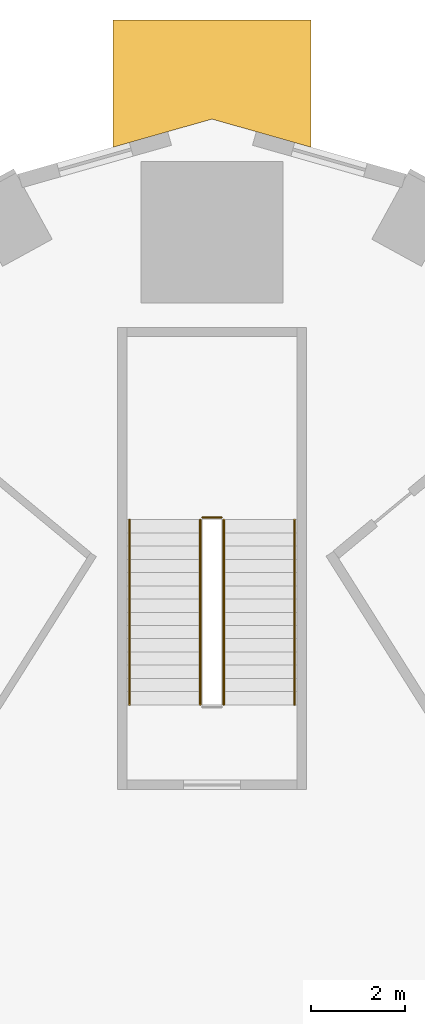
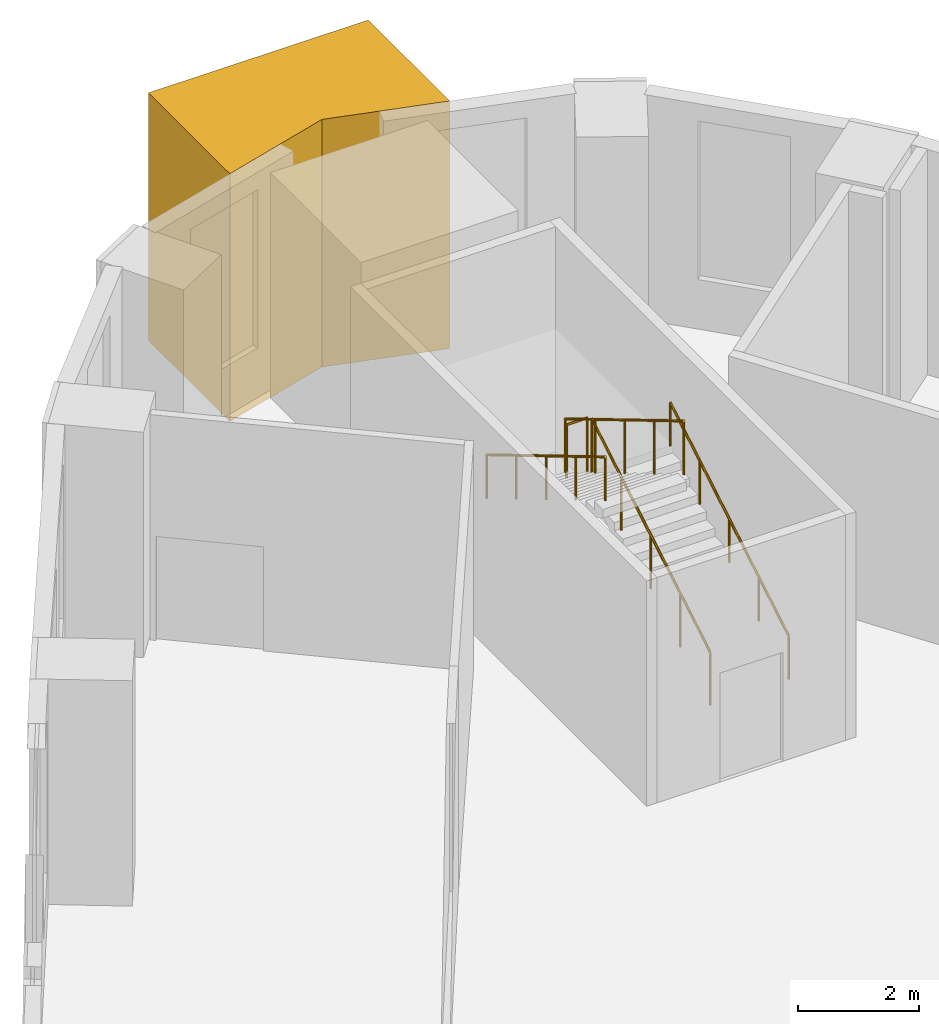
# One storey, part 16 of 16: 5 railings, 1 covering.
"""IFC4 building model written with IfcOpenShell, lengths in metres."""

from ifc_helpers import new_model, si_unit, direction, frame, origin, origin_2d, place, context, subcontext, project, spatial, polyline, circle, outline, extrude, material, type_object, element, save


model = new_model("IFC4")

# Units and contexts
model_context = context("Model", 3, precision=1e-05, world=origin(), true_north=direction((0.0, 1.0)))
body_context = subcontext(model_context, "Body", "Model", "MODEL_VIEW")
ifc_project = project(units=[si_unit("LENGTHUNIT", "METRE"), si_unit("AREAUNIT", "SQUARE_METRE"), si_unit("VOLUMEUNIT", "CUBIC_METRE"), si_unit("PLANEANGLEUNIT", "RADIAN"), si_unit("MASSUNIT", "GRAM", prefix="KILO")], contexts=[model_context])

# Site, building, storey
site_placement = place(None, origin())
site = spatial("IfcSite", under=ifc_project, at=site_placement, CompositionType="ELEMENT")
building_placement = place(site_placement, origin())
building = spatial("IfcBuilding", under=site, at=building_placement, Name="Entoto Arch Interchange Tower", CompositionType="ELEMENT")
storey_placement = place(building_placement, frame((0.0, 0.0, 20.0)))
storey = spatial("IfcBuildingStorey", under=building, at=storey_placement, Name="L03", CompositionType="ELEMENT", Elevation=20.0)

# Covering
ifc_material_1 = material(Name="Board-marked precast concrete C50/60", Category="concrete")
covering_type = type_object("IfcCoveringType", Name="PRECAST FRAME COURSE", PredefinedType="CLADDING", material=ifc_material_1)
covering_placement = place(storey_placement, frame((0.0, 0.0, -0.449951171875)))
element("IfcCovering", 1, at=covering_placement, inside=storey, type_object=covering_type, Name="Podium corner pier N L03", PredefinedType="CLADDING", context=body_context, shape_type="SweptSolid", body=[
    extrude(outline(polyline([(2.10009765625, 49.612060546875), (2.10009765625, 46.916015625), (0.0, 47.511962890625), (-2.10009765625, 46.916015625), (-2.10009765625, 49.612060546875), (2.10009765625, 49.612060546875)])), origin(), (0.0, 0.0, 1.0), 5.0),
])

# Railings
ifc_material_2 = material(Name="Stainless steel 1.4301", Category="steel")
railing_type_1 = type_object("IfcRailingType", Name="STAIR GUARD 1100 STEEL", PredefinedType="GUARDRAIL", material=ifc_material_2)
railing_1_placement = place(storey_placement, frame((0.25, 35.10009765625, 0.166748046875)))
element("IfcRailing", 2, at=railing_1_placement, inside=storey, type_object=railing_type_1, Name="L03 PST-N stair guard 1", PredefinedType="GUARDRAIL", context=body_context, shape_type="SweptSolid", body=[
    extrude(circle(Radius=0.02392578125, at=origin_2d()), frame((0.0, 0.0, 1.076171875), z_axis=(0.0, 0.859296244711, 0.511478214419), x_axis=(-1.0, 0.0, 0.0)), (0.0, 0.0, 1.0), 4.561767578125),
    extrude(circle(Radius=0.02099609375, at=origin_2d()), origin(), (0.0, 0.0, 1.0), 1.052001953125),
    extrude(circle(Radius=0.02099609375, at=origin_2d()), frame((0.0, 0.97998046875, 0.583251953125)), (0.0, 0.0, 1.0), 1.052001953125),
    extrude(circle(Radius=0.02099609375, at=origin_2d()), frame((0.0, 1.9599609375, 1.16650390625)), (0.0, 0.0, 1.0), 1.052001953125),
    extrude(circle(Radius=0.02099609375, at=origin_2d()), frame((0.0, 2.93994140625, 1.75)), (0.0, 0.0, 1.0), 1.052001953125),
    extrude(circle(Radius=0.02099609375, at=origin_2d()), frame((0.0, 3.919921875, 2.333251953125)), (0.0, 0.0, 1.0), 1.052001953125),
])
railing_2_placement = place(storey_placement, frame((0.199951171875, 39.070068359375, 2.5)))
element("IfcRailing", 3, at=railing_2_placement, inside=storey, type_object=railing_type_1, Name="L03 PST-N stair guard 2", PredefinedType="GUARDRAIL", context=body_context, shape_type="SweptSolid", body=[
    extrude(circle(Radius=0.02392578125, at=origin_2d()), frame((0.0, 0.0, 1.076171875), z_axis=(-1.0, 0.0, 0.0), x_axis=(0.0, -1.0, 0.0)), (0.0, 0.0, 1.0), 0.39990234375),
    extrude(circle(Radius=0.02099609375, at=origin_2d()), origin(), (0.0, 0.0, 1.0), 1.052001953125),
    extrude(circle(Radius=0.02099609375, at=origin_2d()), frame((-0.39990234375, 0.0, 0.0)), (0.0, 0.0, 1.0), 1.052001953125),
])
railing_3_placement = place(storey_placement, frame((-0.25, 39.02001953125, 2.666748046875)))
element("IfcRailing", 4, at=railing_3_placement, inside=storey, type_object=railing_type_1, Name="L03 PST-N stair guard 3", PredefinedType="GUARDRAIL", context=body_context, shape_type="SweptSolid", body=[
    extrude(circle(Radius=0.02392578125, at=origin_2d()), frame((0.0, 0.0, 1.076171875), z_axis=(0.0, -0.859296244711, 0.511478214419), x_axis=(1.0, 0.0, 0.0)), (0.0, 0.0, 1.0), 4.561767578125),
    extrude(circle(Radius=0.02099609375, at=origin_2d()), origin(), (0.0, 0.0, 1.0), 1.052001953125),
    extrude(circle(Radius=0.02099609375, at=origin_2d()), frame((0.0, -0.97998046875, 0.583251953125)), (0.0, 0.0, 1.0), 1.052001953125),
    extrude(circle(Radius=0.02099609375, at=origin_2d()), frame((0.0, -1.9599609375, 1.16650390625)), (0.0, 0.0, 1.0), 1.052001953125),
    extrude(circle(Radius=0.02099609375, at=origin_2d()), frame((0.0, -2.93994140625, 1.75)), (0.0, 0.0, 1.0), 1.052001953125),
    extrude(circle(Radius=0.02099609375, at=origin_2d()), frame((0.0, -3.919921875, 2.333251953125)), (0.0, 0.0, 1.0), 1.052001953125),
])
railing_type_2 = type_object("IfcRailingType", Name="STAIR HANDRAIL 900 STEEL", PredefinedType="HANDRAIL", material=ifc_material_2)
railing_4_placement = place(storey_placement, frame((1.75, 35.10009765625, 0.166748046875)))
element("IfcRailing", 5, at=railing_4_placement, inside=storey, type_object=railing_type_2, Name="L03 PST-N stair handrail 1", PredefinedType="HANDRAIL", context=body_context, shape_type="SweptSolid", body=[
    extrude(circle(Radius=0.02392578125, at=origin_2d()), frame((0.0, 0.0, 0.8759765625), z_axis=(0.0, 0.859296244711, 0.511478214419), x_axis=(-1.0, 0.0, 0.0)), (0.0, 0.0, 1.0), 4.561767578125),
    extrude(circle(Radius=0.02099609375, at=origin_2d()), origin(), (0.0, 0.0, 1.0), 0.851806640625),
    extrude(circle(Radius=0.02099609375, at=origin_2d()), frame((0.0, 0.97998046875, 0.583251953125)), (0.0, 0.0, 1.0), 0.851806640625),
    extrude(circle(Radius=0.02099609375, at=origin_2d()), frame((0.0, 1.9599609375, 1.16650390625)), (0.0, 0.0, 1.0), 0.851806640625),
    extrude(circle(Radius=0.02099609375, at=origin_2d()), frame((0.0, 2.93994140625, 1.75)), (0.0, 0.0, 1.0), 0.851806640625),
    extrude(circle(Radius=0.02099609375, at=origin_2d()), frame((0.0, 3.919921875, 2.333251953125)), (0.0, 0.0, 1.0), 0.851806640625),
])
railing_5_placement = place(storey_placement, frame((-1.75, 39.02001953125, 2.666748046875)))
element("IfcRailing", 6, at=railing_5_placement, inside=storey, type_object=railing_type_2, Name="L03 PST-N stair handrail 2", PredefinedType="HANDRAIL", context=body_context, shape_type="SweptSolid", body=[
    extrude(circle(Radius=0.02392578125, at=origin_2d()), frame((0.0, 0.0, 0.8759765625), z_axis=(0.0, -0.859296244711, 0.511478214419), x_axis=(1.0, 0.0, 0.0)), (0.0, 0.0, 1.0), 4.561767578125),
    extrude(circle(Radius=0.02099609375, at=origin_2d()), origin(), (0.0, 0.0, 1.0), 0.851806640625),
    extrude(circle(Radius=0.02099609375, at=origin_2d()), frame((0.0, -0.97998046875, 0.583251953125)), (0.0, 0.0, 1.0), 0.851806640625),
    extrude(circle(Radius=0.02099609375, at=origin_2d()), frame((0.0, -1.9599609375, 1.16650390625)), (0.0, 0.0, 1.0), 0.851806640625),
    extrude(circle(Radius=0.02099609375, at=origin_2d()), frame((0.0, -2.93994140625, 1.75)), (0.0, 0.0, 1.0), 0.851806640625),
    extrude(circle(Radius=0.02099609375, at=origin_2d()), frame((0.0, -3.919921875, 2.333251953125)), (0.0, 0.0, 1.0), 0.851806640625),
])

save(model, "model.ifc")
